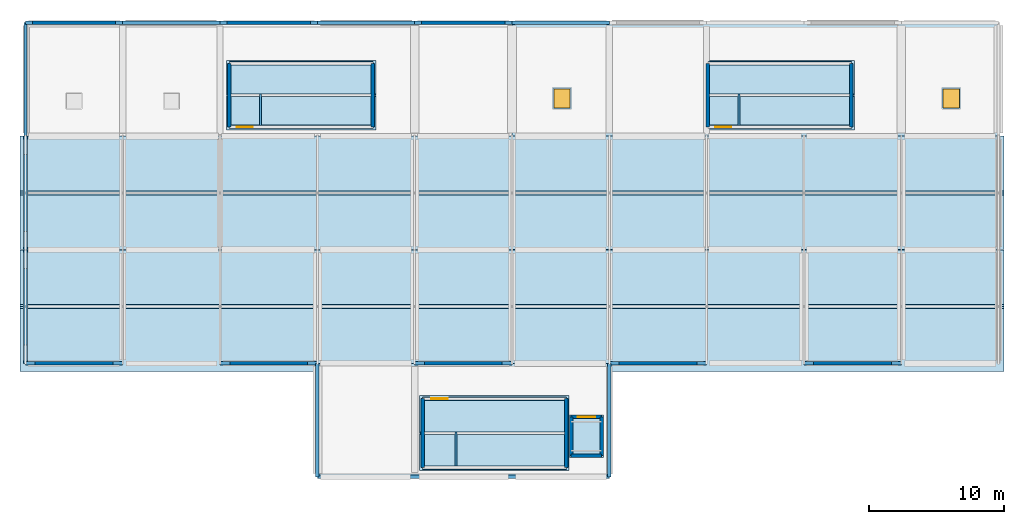
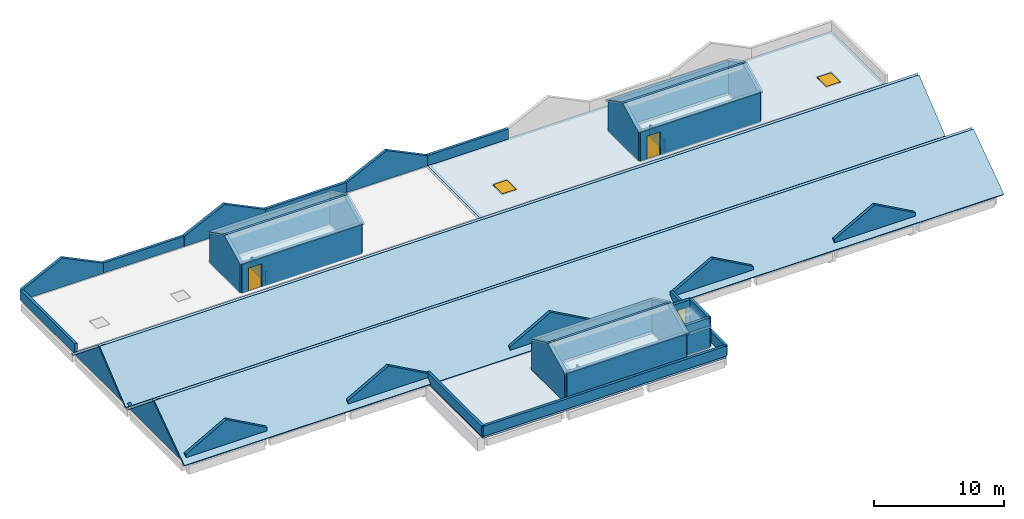
# One storey, part 3 of 5: 36 walls, 13 slabs, 6 doors, 6 openings.
"""IFC4 building model written with IfcOpenShell, lengths in metres."""

from ifc_helpers import new_model, si_unit, direction, frame, frame_2d, origin, origin_2d, place, context, subcontext, project, spatial, polyline, rectangle, outline, extrude, material, layer, layer_set, type_object, element, fill, save


model = new_model("IFC4")

# Units and contexts
model_context = context("Model", 3, precision=1e-05, world=origin(), true_north=direction((0.0, 1.0)))
body_context = subcontext(model_context, "Body", "Model", "MODEL_VIEW")
ifc_project = project(units=[si_unit("LENGTHUNIT", "METRE"), si_unit("AREAUNIT", "SQUARE_METRE"), si_unit("VOLUMEUNIT", "CUBIC_METRE"), si_unit("PLANEANGLEUNIT", "RADIAN"), si_unit("MASSUNIT", "GRAM", prefix="KILO")], contexts=[model_context])

# Site, building, storey
site_placement = place(None, origin())
site = spatial("IfcSite", under=ifc_project, at=site_placement, CompositionType="ELEMENT")
building_placement = place(site_placement, origin())
building = spatial("IfcBuilding", under=site, at=building_placement, Name="Kalluvel Institute of Natural Sciences", CompositionType="ELEMENT")
storey_placement = place(building_placement, frame((0.0, 0.0, 41.39990234375)))
storey = spatial("IfcBuildingStorey", under=building, at=storey_placement, Name="RF", CompositionType="ELEMENT", Elevation=41.39990234375)

# Slabs
ifc_material_1 = material(Name="Sadarahalli Granite Precast Concrete M45", Category="masonry")
ifc_layer_1 = layer(ifc_material_1, 0.179931640625)
ifc_layer_set_1 = layer_set([ifc_layer_1], Name="Sadarahalli Granite Precast Concrete M45")
slab_type_1 = type_object("IfcSlabType", Name="SLB-FOLD-180", PredefinedType="ROOF", material=ifc_layer_set_1)
for number, where, z_axis, x_axis, name in (
    (1, (28.864990234375, 120.06494140625, 2.85009765625), (0.0, -0.450519035107, 0.892766822304), (1.0, 0.0, 0.0), "ST1 Gothic headhouse south roof slope"),
    (2, (28.864990234375, 122.72802734375, 4.10009765625), (0.0, 0.450519035107, 0.892766822304), (1.0, 0.0, 0.0), "ST1 Gothic headhouse north roof slope"),
    (3, (64.264892578125, 120.06494140625, 2.85009765625), (0.0, -0.450519035107, 0.892766822304), (1.0, 0.0, 0.0), "ST2 Gothic headhouse south roof slope"),
    (4, (64.264892578125, 122.72802734375, 4.10009765625), (0.0, 0.450519035107, 0.892766822304), (1.0, 0.0, 0.0), "ST2 Gothic headhouse north roof slope"),
):
    element("IfcSlab", number, at=place(storey_placement, frame(where, z_axis=z_axis, x_axis=x_axis)), inside=storey, type_object=slab_type_1, Name=name, PredefinedType="ROOF", context=body_context, shape_type="SweptSolid", body=[
        extrude(outline(polyline([(0.0, 0.0), (11.070068359375, 0.0), (11.070068359375, 2.774577548545226), (0.0, 2.774577548545226), (0.0, 0.0)])), origin(), (0.0, 0.0, -1.0), 0.179931640625),
    ])
for number, where, z_axis, x_axis, name in (
    (5, (43.1650390625, 94.864990234375, 2.85009765625), (0.0, -0.42242470855, 0.906398017212), (1.0, 0.0, 0.0), "ST3 Gothic headhouse south roof slope"),
    (6, (43.1650390625, 97.722900390625, 4.10009765625), (0.0, 0.42242470855, 0.906398017212), (1.0, 0.0, 0.0), "ST3 Gothic headhouse north roof slope"),
):
    element("IfcSlab", number, at=place(storey_placement, frame(where, z_axis=z_axis, x_axis=x_axis)), inside=storey, type_object=slab_type_1, Name=name, PredefinedType="ROOF", context=body_context, shape_type="SweptSolid", body=[
        extrude(outline(polyline([(0.0, 0.0), (11.070068359375, 0.0), (11.070068359375, 2.9591072082203813), (0.0, 2.9591072082203813), (0.0, 0.0)])), origin(), (0.0, 0.0, -1.0), 0.179931640625),
    ])
ifc_layer_2 = layer(ifc_material_1, 0.199951171875)
ifc_layer_set_2 = layer_set([ifc_layer_2], Name="Sadarahalli Granite Precast Concrete M45")
slab_type_2 = type_object("IfcSlabType", Name="SLB-FOLD-200", PredefinedType="ROOF", material=ifc_layer_set_2)
slab_1_placement = place(storey_placement, frame((13.60009765625, 102.199951171875, 0.168701171875), z_axis=(0.0, -0.574675509545, 0.818381365092), x_axis=(1.0, 0.0, 0.0)))
element("IfcSlab", 7, at=slab_1_placement, inside=storey, type_object=slab_type_2, Name="Wet Wing Collegiate-Gothic Pitched Roof South Slope 1", PredefinedType="ROOF", context=body_context, shape_type="SweptSolid", body=[
    extrude(outline(polyline([(0.0, 0.0), (72.7998046875, 0.0), (72.7998046875, 5.7101687580597424), (0.0, 5.7101687580597424), (0.0, 0.0)])), origin(), (0.0, 0.0, -1.0), 0.199951171875),
])
for number, where, z_axis, x_axis, name in (
    (8, (13.60009765625, 107.138427734375, 3.4501953125), (0.0, 0.631781473069, 0.77514654762), (1.0, 0.0, 0.0), "Wet Wing Collegiate-Gothic Pitched Roof North Slope 1"),
    (9, (13.60009765625, 111.22509765625, 0.16015625), (0.0, -0.631781473069, 0.77514654762), (1.0, 0.0, 0.0), "Wet Wing Collegiate-Gothic Pitched Roof South Slope 2"),
):
    element("IfcSlab", number, at=place(storey_placement, frame(where, z_axis=z_axis, x_axis=x_axis)), inside=storey, type_object=slab_type_2, Name=name, PredefinedType="ROOF", context=body_context, shape_type="SweptSolid", body=[
        extrude(outline(polyline([(0.0, 0.0), (72.7998046875, 0.0), (72.7998046875, 5.207558630230036), (0.0, 5.207558630230036), (0.0, 0.0)])), origin(), (0.0, 0.0, -1.0), 0.199951171875),
    ])
slab_2_placement = place(storey_placement, frame((13.60009765625, 115.537841796875, 3.4501953125), z_axis=(0.0, 0.629348696265, 0.777123039492), x_axis=(1.0, 0.0, 0.0)))
element("IfcSlab", 10, at=slab_2_placement, inside=storey, type_object=slab_type_2, Name="Wet Wing Collegiate-Gothic Pitched Roof North Slope 2", PredefinedType="ROOF", context=body_context, shape_type="SweptSolid", body=[
    extrude(outline(polyline([(0.0, 0.0), (72.7998046875, 0.0), (72.7998046875, 5.227300765693615), (0.0, 5.227300765693615), (0.0, 0.0)])), origin(), (0.0, 0.0, -1.0), 0.199951171875),
])

# Slab, openings, doors
ifc_material_2 = material(Name="Concrete M40", Category="concrete")
ifc_layer_3 = layer(ifc_material_2, 0.280029296875)
ifc_layer_set_3 = layer_set([ifc_layer_3], Name="Concrete M40")
slab_type_3 = type_object("IfcSlabType", Name="SLB-ROOF-280", PredefinedType="ROOF", material=ifc_layer_set_3)
slab_3_placement = place(storey_placement, frame((0.0, 0.0, -0.27978515625)))
slab_3 = element("IfcSlab", 11, at=slab_3_placement, inside=storey, type_object=slab_type_3, Name="RF Wet Laboratory Structural Roof Deck East", PredefinedType="ROOF", context=body_context, shape_type="SweptSolid", body=[
    extrude(outline(polyline([(50.0, 102.800048828125), (86.0, 102.800048828125), (86.0, 128.0), (50.0, 128.0), (50.0, 102.800048828125)]), holes=[polyline([(66.867919921875, 120.39990234375), (66.867919921875, 124.8701171875), (75.0, 124.8701171875), (75.0, 120.39990234375), (66.867919921875, 120.39990234375)])]), origin(), (0.0, 0.0, 1.0), 0.27978515625),
])
opening_1_placement = place(slab_3_placement, frame((53.699951171875, 122.39990234375, 0.0)))
opening_1 = element("IfcOpeningElement", 12, at=opening_1_placement, cuts=slab_3, Name="Opening RH-03", PredefinedType="OPENING", context=body_context, shape_type="SweptSolid", body=[
    extrude(rectangle(XDim=1.239990234375, YDim=1.43994140625, at=origin_2d()), frame((0.0, 0.0, -0.050048828125)), (0.0, 0.0, 1.0), 0.429931640625),
])
opening_2_placement = place(slab_3_placement, frame((82.5, 122.39990234375, 0.0)))
opening_2 = element("IfcOpeningElement", 13, at=opening_2_placement, cuts=slab_3, Name="Opening RH-04", PredefinedType="OPENING", context=body_context, shape_type="SweptSolid", body=[
    extrude(rectangle(XDim=1.239990234375, YDim=1.43994140625, at=origin_2d()), frame((0.0, 0.0, -0.050048828125)), (0.0, 0.0, 1.0), 0.429931640625),
])
ifc_material_3 = material(Name="Steel E350 Grade 350", Category="steel")
door_type_1 = type_object("IfcDoorType", Name="DR-HATCH-1200", OperationType="NOTDEFINED", PredefinedType="TRAPDOOR", material=ifc_material_3)
door_1_placement = place(opening_1_placement, frame((0.0, 0.0, 0.27978515625)))
door_1 = element("IfcDoor", 14, at=door_1_placement, inside=storey, type_object=door_type_1, Name="RF maintenance roof access hatch RH-03", OperationType="SINGLE_SWING_LEFT", OverallHeight=1.39990234375, OverallWidth=1.199951171875, PredefinedType="TRAPDOOR", context=body_context, shape_type="SweptSolid", body=[
    extrude(rectangle(XDim=1.199951171875, YDim=1.39990234375, at=origin_2d()), origin(), (0.0, 0.0, 1.0), 0.050048828125),
])
fill(opening_1, door_1)
door_2_placement = place(opening_2_placement, frame((0.0, 0.0, 0.27978515625)))
door_2 = element("IfcDoor", 15, at=door_2_placement, inside=storey, type_object=door_type_1, Name="RF maintenance roof access hatch RH-04", OperationType="SINGLE_SWING_LEFT", OverallHeight=1.39990234375, OverallWidth=1.199951171875, PredefinedType="TRAPDOOR", context=body_context, shape_type="SweptSolid", body=[
    extrude(rectangle(XDim=1.199951171875, YDim=1.39990234375, at=origin_2d()), origin(), (0.0, 0.0, 1.0), 0.050048828125),
])
fill(opening_2, door_2)

# Slabs
slab_4_placement = place(storey_placement, frame((0.0, 0.0, -0.27978515625)))
element("IfcSlab", 16, at=slab_4_placement, inside=storey, type_object=slab_type_3, Name="RF Fire-Tower Knuckle Lobby Slab", PredefinedType="ROOF", context=body_context, shape_type="SweptSolid", body=[
    extrude(outline(polyline([(35.60009765625, 94.39990234375), (57.199951171875, 94.39990234375), (57.199951171875, 102.800048828125), (35.60009765625, 102.800048828125), (35.60009765625, 94.39990234375)]), holes=[polyline([(54.47998046875, 98.719970703125), (56.52001953125, 98.719970703125), (56.52001953125, 96.080078125), (54.47998046875, 96.080078125), (54.47998046875, 98.719970703125)]), polyline([(45.91796875, 100.070068359375), (53.89990234375, 100.070068359375), (53.89990234375, 95.199951171875), (45.91796875, 95.199951171875), (45.91796875, 100.070068359375)])]), origin(), (0.0, 0.0, 1.0), 0.27978515625),
])
slab_5_placement = place(storey_placement, frame((0.0, 0.0, 1.85009765625)))
element("IfcSlab", 17, at=slab_5_placement, inside=storey, type_object=slab_type_3, Name="LF8 shaft overrun cap slab", PredefinedType="ROOF", context=body_context, shape_type="SweptSolid", body=[
    extrude(outline(polyline([(54.239990234375, 95.840087890625), (56.760009765625, 95.840087890625), (56.760009765625, 98.9599609375), (54.239990234375, 98.9599609375), (54.239990234375, 95.840087890625)])), origin(), (0.0, 0.0, 1.0), 0.280029296875),
])

# Walls
ifc_material_4 = material(Name="Sadarahalli Grey Granite Ashlar Concrete M40", Category="masonry")
ifc_layer_4 = layer(ifc_material_4, 0.280029296875)
ifc_layer_set_4 = layer_set([ifc_layer_4], Name="Sadarahalli Grey Granite Ashlar Concrete M40")
wall_type_1 = type_object("IfcWallType", Name="WL-GABLE-280", PredefinedType="SOLIDWALL", material=ifc_layer_set_4)
wall_1_placement = place(storey_placement, frame((14.0, 102.800048828125, 0.0), z_axis=(0.0, 0.0, 1.0), x_axis=(0.0, 1.0, 0.0)))
element("IfcWall", 18, at=wall_1_placement, inside=storey, type_object=wall_type_1, Name="RF Wet Wing West Gothic gable wall", PredefinedType="SOLIDWALL", context=body_context, shape_type="SweptSolid", body=[
    extrude(outline(polyline([(0.0, 0.0), (8.39990234375, 0.0), (8.39990234375, 0.150146484375), (4.199951171875, 3.380126953125), (0.0, 0.150146484375), (0.0, 0.0)])), frame((0.0, 0.14013671875, 0.0), z_axis=(0.0, -1.0, 0.0), x_axis=(1.0, 0.0, 0.0)), (0.0, 0.0, 1.0), 0.280029296875),
])
wall_2_placement = place(storey_placement, frame((14.0, 111.199951171875, 0.0), z_axis=(0.0, 0.0, 1.0), x_axis=(0.0, 1.0, 0.0)))
element("IfcWall", 19, at=wall_2_placement, inside=storey, type_object=wall_type_1, Name="RF Wet Wing West Gothic gable wall", PredefinedType="SOLIDWALL", context=body_context, shape_type="SweptSolid", body=[
    extrude(outline(polyline([(0.0, 0.0), (8.400146484375, 0.0), (8.39990234375, 0.150146484375), (4.199951171875, 3.380126953125), (0.0, 0.150146484375), (0.0, 0.0)])), frame((0.0, 0.14013671875, 0.0), z_axis=(0.0, -1.0, 0.0), x_axis=(1.0, 0.0, 0.0)), (0.0, 0.0, 1.0), 0.280029296875),
])
wall_3_placement = place(storey_placement, frame((14.0, 102.800048828125, 0.0), z_axis=(0.0, 0.0, 1.0), x_axis=(1.0, 0.0, 0.0)))
element("IfcWall", 20, at=wall_3_placement, inside=storey, type_object=wall_type_1, Name="RF Wet Wing South Gothic cross-gable front", PredefinedType="SOLIDWALL", context=body_context, shape_type="SweptSolid", body=[
    extrude(outline(polyline([(0.0, 0.0), (7.199951171875, 0.0), (7.199951171875, 0.800048828125), (3.60009765625, 2.800048828125), (0.0, 0.800048828125), (0.0, 0.0)])), frame((0.0, 0.14013671875, 0.0), z_axis=(0.0, -1.0, 0.0), x_axis=(1.0, 0.0, 0.0)), (0.0, 0.0, 1.0), 0.280029296875),
])
wall_4_placement = place(storey_placement, frame((14.0, 128.0, 0.0), z_axis=(0.0, 0.0, 1.0), x_axis=(1.0, 0.0, 0.0)))
element("IfcWall", 21, at=wall_4_placement, inside=storey, type_object=wall_type_1, Name="RF Wet Wing North Gothic cross-gable parapet", PredefinedType="SOLIDWALL", context=body_context, shape_type="SweptSolid", body=[
    extrude(outline(polyline([(0.0, 0.0), (7.199951171875, 0.0), (7.199951171875, 0.9501953125), (3.60009765625, 2.7001953125), (0.0, 0.9501953125), (0.0, 0.0)])), frame((0.0, 0.14013671875, 0.0), z_axis=(0.0, -1.0, 0.0), x_axis=(1.0, 0.0, 0.0)), (0.0, 0.0, 1.0), 0.280029296875),
])
wall_5_placement = place(storey_placement, frame((28.39990234375, 102.800048828125, 0.0), z_axis=(0.0, 0.0, 1.0), x_axis=(1.0, 0.0, 0.0)))
element("IfcWall", 22, at=wall_5_placement, inside=storey, type_object=wall_type_1, Name="RF Wet Wing South Gothic cross-gable front", PredefinedType="SOLIDWALL", context=body_context, shape_type="SweptSolid", body=[
    extrude(outline(polyline([(0.0, 0.0), (7.2001953125, 0.0), (7.199951171875, 0.800048828125), (3.60009765625, 2.800048828125), (0.0, 0.800048828125), (0.0, 0.0)])), frame((0.0, 0.14013671875, 0.0), z_axis=(0.0, -1.0, 0.0), x_axis=(1.0, 0.0, 0.0)), (0.0, 0.0, 1.0), 0.280029296875),
])
wall_6_placement = place(storey_placement, frame((28.39990234375, 128.0, 0.0), z_axis=(0.0, 0.0, 1.0), x_axis=(1.0, 0.0, 0.0)))
element("IfcWall", 23, at=wall_6_placement, inside=storey, type_object=wall_type_1, Name="RF Wet Wing North Gothic cross-gable parapet", PredefinedType="SOLIDWALL", context=body_context, shape_type="SweptSolid", body=[
    extrude(outline(polyline([(0.0, 0.0), (7.2001953125, 0.0), (7.199951171875, 0.9501953125), (3.60009765625, 2.7001953125), (0.0, 0.9501953125), (0.0, 0.0)])), frame((0.0, 0.14013671875, 0.0), z_axis=(0.0, -1.0, 0.0), x_axis=(1.0, 0.0, 0.0)), (0.0, 0.0, 1.0), 0.280029296875),
])
wall_7_placement = place(storey_placement, frame((42.800048828125, 102.800048828125, 0.0), z_axis=(0.0, 0.0, 1.0), x_axis=(1.0, 0.0, 0.0)))
element("IfcWall", 24, at=wall_7_placement, inside=storey, type_object=wall_type_1, Name="RF Wet Wing South Gothic cross-gable front", PredefinedType="SOLIDWALL", context=body_context, shape_type="SweptSolid", body=[
    extrude(outline(polyline([(0.0, 0.0), (7.199951171875, 0.0), (7.199951171875, 0.800048828125), (3.60009765625, 2.800048828125), (0.0, 0.800048828125), (0.0, 0.0)])), frame((0.0, 0.14013671875, 0.0), z_axis=(0.0, -1.0, 0.0), x_axis=(1.0, 0.0, 0.0)), (0.0, 0.0, 1.0), 0.280029296875),
])
wall_8_placement = place(storey_placement, frame((42.800048828125, 128.0, 0.0), z_axis=(0.0, 0.0, 1.0), x_axis=(1.0, 0.0, 0.0)))
element("IfcWall", 25, at=wall_8_placement, inside=storey, type_object=wall_type_1, Name="RF Wet Wing North Gothic cross-gable parapet", PredefinedType="SOLIDWALL", context=body_context, shape_type="SweptSolid", body=[
    extrude(outline(polyline([(0.0, 0.0), (7.199951171875, 0.0), (7.199951171875, 0.9501953125), (3.60009765625, 2.7001953125), (0.0, 0.9501953125), (0.0, 0.0)])), frame((0.0, 0.14013671875, 0.0), z_axis=(0.0, -1.0, 0.0), x_axis=(1.0, 0.0, 0.0)), (0.0, 0.0, 1.0), 0.280029296875),
])
for number, where, z_axis, x_axis, name in (
    (26, (57.199951171875, 102.800048828125, 0.0), (0.0, 0.0, 1.0), (1.0, 0.0, 0.0), "RF Wet Wing South Gothic cross-gable front"),
    (27, (71.60009765625, 102.800048828125, 0.0), (0.0, 0.0, 1.0), (1.0, 0.0, 0.0), "RF Wet Wing South Gothic cross-gable front"),
):
    element("IfcWall", number, at=place(storey_placement, frame(where, z_axis=z_axis, x_axis=x_axis)), inside=storey, type_object=wall_type_1, Name=name, PredefinedType="SOLIDWALL", context=body_context, shape_type="SweptSolid", body=[
        extrude(outline(polyline([(0.0, 0.0), (7.199951171875, 0.0), (7.199951171875, 0.800048828125), (3.60009765625, 2.800048828125), (0.0, 0.800048828125), (0.0, 0.0)])), frame((0.0, 0.14013671875, 0.0), z_axis=(0.0, -1.0, 0.0), x_axis=(1.0, 0.0, 0.0)), (0.0, 0.0, 1.0), 0.280029296875),
    ])

# Wall, opening, door
ifc_layer_5 = layer(ifc_material_4, 0.260009765625)
ifc_layer_set_5 = layer_set([ifc_layer_5], Name="Sadarahalli Grey Granite Ashlar Concrete M40")
wall_type_2 = type_object("IfcWallType", Name="WL-HH-260", PredefinedType="SHEAR", material=ifc_layer_set_5)
wall_9_placement = place(storey_placement, frame((29.0849609375, 120.284912109375, 0.0), z_axis=(0.0, 0.0, 1.0), x_axis=(1.0, 0.0, 0.0)))
wall_9 = element("IfcWall", 28, at=wall_9_placement, inside=storey, type_object=wall_type_2, Name="ST1 RF core wall S", PredefinedType="SHEAR", context=body_context, shape_type="SweptSolid", body=[
    extrude(rectangle(XDim=10.630126953125, YDim=0.260009765625, at=frame_2d((5.31494140625, 0.0))), origin(), (0.0, 0.0, 1.0), 2.85009765625),
])
opening_3_placement = place(wall_9_placement, frame((0.550048828125, 0.0, 0.0)))
opening_3 = element("IfcOpeningElement", 29, at=opening_3_placement, cuts=wall_9, Name="Opening DS-011", PredefinedType="OPENING", context=body_context, shape_type="SweptSolid", body=[
    extrude(rectangle(XDim=1.199951171875, YDim=2.199951171875, at=frame_2d((0.60009765625, 1.10009765625))), frame((0.0, 0.139892578125, 0.0), z_axis=(0.0, -1.0, 0.0), x_axis=(1.0, 0.0, 0.0)), (0.0, 0.0, 1.0), 0.280029296875),
])
ifc_material_5 = material(Name="Galvanized Fire-Rated Steel", Category="steel")
door_type_2 = type_object("IfcDoorType", Name="DR-ST-RF-1200", OperationType="NOTDEFINED", PredefinedType="DOOR", material=ifc_material_5)
door_3_placement = place(opening_3_placement, origin())
door_3 = element("IfcDoor", 30, at=door_3_placement, inside=storey, type_object=door_type_2, Name="ST1 RF protected stair door DS-011", OperationType="SINGLE_SWING_LEFT", OverallHeight=2.199951171875, OverallWidth=1.199951171875, PredefinedType="DOOR", context=body_context, shape_type="SweptSolid", body=[
    extrude(rectangle(XDim=1.199951171875, YDim=2.199951171875, at=frame_2d((0.60009765625, 1.10009765625))), frame((0.0, 0.02490234375, 0.0), z_axis=(0.0, -1.0, 0.0), x_axis=(1.0, 0.0, 0.0)), (0.0, 0.0, 1.0), 0.050048828125),
])
fill(opening_3, door_3)

# Walls
wall_10_placement = place(storey_placement, frame((39.715087890625, 120.284912109375, 0.0), z_axis=(0.0, 0.0, 1.0), x_axis=(0.0, 1.0, 0.0)))
element("IfcWall", 31, at=wall_10_placement, inside=storey, type_object=wall_type_2, Name="ST1 RF core wall E", PredefinedType="SHEAR", context=body_context, shape_type="SweptSolid", body=[
    extrude(outline(polyline([(0.0, 0.0), (4.7001953125, 0.0), (4.699951171875, 2.85009765625), (2.35009765625, 4.0400390625), (0.0, 2.85009765625), (0.0, 0.0)])), frame((0.0, 0.1298828125, 0.0), z_axis=(0.0, -1.0, 0.0), x_axis=(1.0, 0.0, 0.0)), (0.0, 0.0, 1.0), 0.260009765625),
])
wall_11_placement = place(storey_placement, frame((39.715087890625, 124.985107421875, 0.0), z_axis=(0.0, 0.0, 1.0), x_axis=(-1.0, 0.0, 0.0)))
element("IfcWall", 32, at=wall_11_placement, inside=storey, type_object=wall_type_2, Name="ST1 RF core wall N", PredefinedType="SHEAR", context=body_context, shape_type="SweptSolid", body=[
    extrude(rectangle(XDim=10.630126953125, YDim=0.260009765625, at=frame_2d((5.31494140625, 0.0))), origin(), (0.0, 0.0, 1.0), 2.85009765625),
])
wall_12_placement = place(storey_placement, frame((29.0849609375, 124.985107421875, 0.0), z_axis=(0.0, 0.0, 1.0), x_axis=(0.0, -1.0, 0.0)))
element("IfcWall", 33, at=wall_12_placement, inside=storey, type_object=wall_type_2, Name="ST1 RF core wall W", PredefinedType="SHEAR", context=body_context, shape_type="SweptSolid", body=[
    extrude(outline(polyline([(0.0, 0.0), (4.7001953125, 0.0), (4.699951171875, 2.85009765625), (2.35009765625, 4.0400390625), (0.0, 2.85009765625), (0.0, 0.0)])), frame((0.0, 0.1298828125, 0.0), z_axis=(0.0, -1.0, 0.0), x_axis=(1.0, 0.0, 0.0)), (0.0, 0.0, 1.0), 0.260009765625),
])

# Wall, opening, door
wall_13_placement = place(storey_placement, frame((64.485107421875, 120.284912109375, 0.0), z_axis=(0.0, 0.0, 1.0), x_axis=(1.0, 0.0, 0.0)))
wall_13 = element("IfcWall", 34, at=wall_13_placement, inside=storey, type_object=wall_type_2, Name="ST2 RF core wall S", PredefinedType="SHEAR", context=body_context, shape_type="SweptSolid", body=[
    extrude(rectangle(XDim=10.6298828125, YDim=0.260009765625, at=frame_2d((5.31494140625, 0.0))), origin(), (0.0, 0.0, 1.0), 2.85009765625),
])
opening_4_placement = place(wall_13_placement, frame((0.550048828125, 0.0, 0.0)))
opening_4 = element("IfcOpeningElement", 35, at=opening_4_placement, cuts=wall_13, Name="Opening DS-022", PredefinedType="OPENING", context=body_context, shape_type="SweptSolid", body=[
    extrude(rectangle(XDim=1.199951171875, YDim=2.199951171875, at=frame_2d((0.60009765625, 1.10009765625))), frame((0.0, 0.139892578125, 0.0), z_axis=(0.0, -1.0, 0.0), x_axis=(1.0, 0.0, 0.0)), (0.0, 0.0, 1.0), 0.280029296875),
])
door_4_placement = place(opening_4_placement, origin())
door_4 = element("IfcDoor", 36, at=door_4_placement, inside=storey, type_object=door_type_2, Name="ST2 RF protected stair door DS-022", OperationType="SINGLE_SWING_LEFT", OverallHeight=2.199951171875, OverallWidth=1.199951171875, PredefinedType="DOOR", context=body_context, shape_type="SweptSolid", body=[
    extrude(rectangle(XDim=1.199951171875, YDim=2.199951171875, at=frame_2d((0.60009765625, 1.10009765625))), frame((0.0, 0.02490234375, 0.0), z_axis=(0.0, -1.0, 0.0), x_axis=(1.0, 0.0, 0.0)), (0.0, 0.0, 1.0), 0.050048828125),
])
fill(opening_4, door_4)

# Walls
wall_14_placement = place(storey_placement, frame((75.114990234375, 120.284912109375, 0.0), z_axis=(0.0, 0.0, 1.0), x_axis=(0.0, 1.0, 0.0)))
element("IfcWall", 37, at=wall_14_placement, inside=storey, type_object=wall_type_2, Name="ST2 RF core wall E", PredefinedType="SHEAR", context=body_context, shape_type="SweptSolid", body=[
    extrude(outline(polyline([(0.0, 0.0), (4.7001953125, 0.0), (4.699951171875, 2.85009765625), (2.35009765625, 4.0400390625), (0.0, 2.85009765625), (0.0, 0.0)])), frame((0.0, 0.1298828125, 0.0), z_axis=(0.0, -1.0, 0.0), x_axis=(1.0, 0.0, 0.0)), (0.0, 0.0, 1.0), 0.260009765625),
])
wall_15_placement = place(storey_placement, frame((75.114990234375, 124.985107421875, 0.0), z_axis=(0.0, 0.0, 1.0), x_axis=(-1.0, 0.0, 0.0)))
element("IfcWall", 38, at=wall_15_placement, inside=storey, type_object=wall_type_2, Name="ST2 RF core wall N", PredefinedType="SHEAR", context=body_context, shape_type="SweptSolid", body=[
    extrude(rectangle(XDim=10.6298828125, YDim=0.260009765625, at=frame_2d((5.31494140625, 0.0))), origin(), (0.0, 0.0, 1.0), 2.85009765625),
])
wall_16_placement = place(storey_placement, frame((64.485107421875, 124.985107421875, 0.0), z_axis=(0.0, 0.0, 1.0), x_axis=(0.0, -1.0, 0.0)))
element("IfcWall", 39, at=wall_16_placement, inside=storey, type_object=wall_type_2, Name="ST2 RF core wall W", PredefinedType="SHEAR", context=body_context, shape_type="SweptSolid", body=[
    extrude(outline(polyline([(0.0, 0.0), (4.7001953125, 0.0), (4.699951171875, 2.85009765625), (2.35009765625, 4.0400390625), (0.0, 2.85009765625), (0.0, 0.0)])), frame((0.0, 0.1298828125, 0.0), z_axis=(0.0, -1.0, 0.0), x_axis=(1.0, 0.0, 0.0)), (0.0, 0.0, 1.0), 0.260009765625),
])
wall_17_placement = place(storey_placement, frame((43.385009765625, 95.0849609375, 0.0), z_axis=(0.0, 0.0, 1.0), x_axis=(1.0, 0.0, 0.0)))
element("IfcWall", 40, at=wall_17_placement, inside=storey, type_object=wall_type_2, Name="ST3 RF core wall S", PredefinedType="SHEAR", context=body_context, shape_type="SweptSolid", body=[
    extrude(rectangle(XDim=10.6298828125, YDim=0.260009765625, at=frame_2d((5.31494140625, 0.0))), origin(), (0.0, 0.0, 1.0), 2.85009765625),
])
wall_18_placement = place(storey_placement, frame((54.014892578125, 95.0849609375, 0.0), z_axis=(0.0, 0.0, 1.0), x_axis=(0.0, 1.0, 0.0)))
element("IfcWall", 41, at=wall_18_placement, inside=storey, type_object=wall_type_2, Name="ST3 RF core wall E", PredefinedType="SHEAR", context=body_context, shape_type="SweptSolid", body=[
    extrude(outline(polyline([(0.0, 0.0), (5.10009765625, 0.0), (5.10009765625, 2.85009765625), (2.550048828125, 4.0400390625), (0.0, 2.85009765625), (0.0, 0.0)])), frame((0.0, 0.1298828125, 0.0), z_axis=(0.0, -1.0, 0.0), x_axis=(1.0, 0.0, 0.0)), (0.0, 0.0, 1.0), 0.260009765625),
])

# Wall, opening, door
wall_19_placement = place(storey_placement, frame((54.014892578125, 100.18505859375, 0.0), z_axis=(0.0, 0.0, 1.0), x_axis=(-1.0, 0.0, 0.0)))
wall_19 = element("IfcWall", 42, at=wall_19_placement, inside=storey, type_object=wall_type_2, Name="ST3 RF core wall N", PredefinedType="SHEAR", context=body_context, shape_type="SweptSolid", body=[
    extrude(rectangle(XDim=10.6298828125, YDim=0.260009765625, at=frame_2d((5.31494140625, 0.0))), origin(), (0.0, 0.0, 1.0), 2.85009765625),
])
opening_5_placement = place(wall_19_placement, frame((8.780029296875, 0.0, 0.0)))
opening_5 = element("IfcOpeningElement", 43, at=opening_5_placement, cuts=wall_19, Name="Opening DS-033", PredefinedType="OPENING", context=body_context, shape_type="SweptSolid", body=[
    extrude(rectangle(XDim=1.199951171875, YDim=2.199951171875, at=frame_2d((0.60009765625, 1.10009765625))), frame((0.0, 0.139892578125, 0.0), z_axis=(0.0, -1.0, 0.0), x_axis=(1.0, 0.0, 0.0)), (0.0, 0.0, 1.0), 0.280029296875),
])
door_5_placement = place(opening_5_placement, origin())
door_5 = element("IfcDoor", 44, at=door_5_placement, inside=storey, type_object=door_type_2, Name="ST3 RF protected stair door DS-033", OperationType="SINGLE_SWING_LEFT", OverallHeight=2.199951171875, OverallWidth=1.199951171875, PredefinedType="DOOR", context=body_context, shape_type="SweptSolid", body=[
    extrude(rectangle(XDim=1.199951171875, YDim=2.199951171875, at=frame_2d((0.60009765625, 1.10009765625))), frame((0.0, 0.02490234375, 0.0), z_axis=(0.0, -1.0, 0.0), x_axis=(1.0, 0.0, 0.0)), (0.0, 0.0, 1.0), 0.050048828125),
])
fill(opening_5, door_5)

# Walls
wall_20_placement = place(storey_placement, frame((43.385009765625, 100.18505859375, 0.0), z_axis=(0.0, 0.0, 1.0), x_axis=(0.0, -1.0, 0.0)))
element("IfcWall", 45, at=wall_20_placement, inside=storey, type_object=wall_type_2, Name="ST3 RF core wall W", PredefinedType="SHEAR", context=body_context, shape_type="SweptSolid", body=[
    extrude(outline(polyline([(0.0, 0.0), (5.10009765625, 0.0), (5.10009765625, 2.85009765625), (2.550048828125, 4.0400390625), (0.0, 2.85009765625), (0.0, 0.0)])), frame((0.0, 0.1298828125, 0.0), z_axis=(0.0, -1.0, 0.0), x_axis=(1.0, 0.0, 0.0)), (0.0, 0.0, 1.0), 0.260009765625),
])
wall_21_placement = place(storey_placement, frame((54.3701171875, 95.969970703125, 0.0), z_axis=(0.0, 0.0, 1.0), x_axis=(1.0, 0.0, 0.0)))
element("IfcWall", 46, at=wall_21_placement, inside=storey, type_object=wall_type_2, Name="LF8 RF lift shaft wall", PredefinedType="SHEAR", context=body_context, shape_type="SweptSolid", body=[
    extrude(rectangle(XDim=2.259765625, YDim=0.260009765625, at=frame_2d((1.1298828125, 0.0))), origin(), (0.0, 0.0, 1.0), 2.85009765625),
])
wall_22_placement = place(storey_placement, frame((56.6298828125, 95.969970703125, 0.0), z_axis=(0.0, 0.0, 1.0), x_axis=(0.0, 1.0, 0.0)))
element("IfcWall", 47, at=wall_22_placement, inside=storey, type_object=wall_type_2, Name="LF8 RF lift shaft wall", PredefinedType="SHEAR", context=body_context, shape_type="SweptSolid", body=[
    extrude(rectangle(XDim=2.860107421875, YDim=0.260009765625, at=frame_2d((1.43017578125, 0.0))), origin(), (0.0, 0.0, 1.0), 2.85009765625),
])

# Wall, opening, door
wall_23_placement = place(storey_placement, frame((56.6298828125, 98.830078125, 0.0), z_axis=(0.0, 0.0, 1.0), x_axis=(-1.0, 0.0, 0.0)))
wall_23 = element("IfcWall", 48, at=wall_23_placement, inside=storey, type_object=wall_type_2, Name="LF8 RF lift shaft wall", PredefinedType="SHEAR", context=body_context, shape_type="SweptSolid", body=[
    extrude(rectangle(XDim=2.259765625, YDim=0.260009765625, at=frame_2d((1.1298828125, 0.0))), origin(), (0.0, 0.0, 1.0), 2.85009765625),
])
opening_6_placement = place(wall_23_placement, frame((0.47998046875, 0.0, 0.0)))
opening_6 = element("IfcOpeningElement", 49, at=opening_6_placement, cuts=wall_23, Name="Opening LD-069", PredefinedType="OPENING", context=body_context, shape_type="SweptSolid", body=[
    extrude(rectangle(XDim=1.300048828125, YDim=2.199951171875, at=frame_2d((0.64990234375, 1.10009765625))), frame((0.0, 0.139892578125, 0.0), z_axis=(0.0, -1.0, 0.0), x_axis=(1.0, 0.0, 0.0)), (0.0, 0.0, 1.0), 0.280029296875),
])
door_type_3 = type_object("IfcDoorType", Name="DR-LD-RF-1300", OperationType="NOTDEFINED", PredefinedType="DOOR", material=ifc_material_5)
door_6_placement = place(opening_6_placement, origin())
door_6 = element("IfcDoor", 50, at=door_6_placement, inside=storey, type_object=door_type_3, Name="LF8 RF sliding lift landing door LD-069", OperationType="DOUBLE_DOOR_SLIDING", OverallHeight=2.199951171875, OverallWidth=1.300048828125, PredefinedType="DOOR", context=body_context, shape_type="SweptSolid", body=[
    extrude(rectangle(XDim=1.300048828125, YDim=2.199951171875, at=frame_2d((0.64990234375, 1.10009765625))), frame((0.0, 0.02490234375, 0.0), z_axis=(0.0, -1.0, 0.0), x_axis=(1.0, 0.0, 0.0)), (0.0, 0.0, 1.0), 0.050048828125),
])
fill(opening_6, door_6)

# Walls
wall_24_placement = place(storey_placement, frame((54.3701171875, 98.830078125, 0.0), z_axis=(0.0, 0.0, 1.0), x_axis=(0.0, -1.0, 0.0)))
element("IfcWall", 51, at=wall_24_placement, inside=storey, type_object=wall_type_2, Name="LF8 RF lift shaft wall", PredefinedType="SHEAR", context=body_context, shape_type="SweptSolid", body=[
    extrude(rectangle(XDim=2.860107421875, YDim=0.260009765625, at=frame_2d((1.43017578125, 0.0))), origin(), (0.0, 0.0, 1.0), 2.85009765625),
])
ifc_layer_6 = layer(ifc_material_4, 0.239990234375)
ifc_layer_set_6 = layer_set([ifc_layer_6], Name="Sadarahalli Grey Granite Ashlar Concrete M40")
wall_type_3 = type_object("IfcWallType", Name="WL-PAR-240", PredefinedType="PARAPET", material=ifc_layer_set_6)
wall_25_placement = place(storey_placement, frame((14.0, 119.60009765625, 0.0), z_axis=(0.0, 0.0, 1.0), x_axis=(0.0, 1.0, 0.0)))
element("IfcWall", 52, at=wall_25_placement, inside=storey, type_object=wall_type_3, Name="RF maintenance roof stone parapet 1", PredefinedType="PARAPET", context=body_context, shape_type="SweptSolid", body=[
    extrude(rectangle(XDim=8.39990234375, YDim=0.239990234375, at=frame_2d((4.199951171875, 0.0))), origin(), (0.0, 0.0, 1.0), 0.9501953125),
])
for number, where, z_axis, x_axis, name in (
    (53, (21.199951171875, 128.0, 0.0), (0.0, 0.0, 1.0), (1.0, 0.0, 0.0), "RF maintenance roof stone parapet 2"),
    (54, (35.60009765625, 128.0, 0.0), (0.0, 0.0, 1.0), (1.0, 0.0, 0.0), "RF maintenance roof stone parapet 3"),
    (55, (50.0, 128.0, 0.0), (0.0, 0.0, 1.0), (1.0, 0.0, 0.0), "RF maintenance roof stone parapet 4"),
):
    element("IfcWall", number, at=place(storey_placement, frame(where, z_axis=z_axis, x_axis=x_axis)), inside=storey, type_object=wall_type_3, Name=name, PredefinedType="PARAPET", context=body_context, shape_type="SweptSolid", body=[
        extrude(rectangle(XDim=7.199951171875, YDim=0.239990234375, at=frame_2d((3.60009765625, 0.0))), origin(), (0.0, 0.0, 1.0), 0.9501953125),
    ])
wall_26_placement = place(storey_placement, frame((57.199951171875, 102.800048828125, 0.0), z_axis=(0.0, 0.0, 1.0), x_axis=(0.0, -1.0, 0.0)))
element("IfcWall", 56, at=wall_26_placement, inside=storey, type_object=wall_type_3, Name="RF maintenance roof stone parapet 8", PredefinedType="PARAPET", context=body_context, shape_type="SweptSolid", body=[
    extrude(rectangle(XDim=8.400146484375, YDim=0.239990234375, at=frame_2d((4.2001953125, 0.0))), origin(), (0.0, 0.0, 1.0), 0.9501953125),
])
wall_27_placement = place(storey_placement, frame((57.199951171875, 94.39990234375, 0.0), z_axis=(0.0, 0.0, 1.0), x_axis=(-1.0, 0.0, 0.0)))
element("IfcWall", 57, at=wall_27_placement, inside=storey, type_object=wall_type_3, Name="RF maintenance roof stone parapet 9", PredefinedType="PARAPET", context=body_context, shape_type="SweptSolid", body=[
    extrude(rectangle(XDim=21.599853515625, YDim=0.239990234375, at=frame_2d((10.7998046875, 0.0))), origin(), (0.0, 0.0, 1.0), 0.9501953125),
])
wall_28_placement = place(storey_placement, frame((35.60009765625, 94.39990234375, 0.0), z_axis=(0.0, 0.0, 1.0), x_axis=(0.0, 1.0, 0.0)))
element("IfcWall", 58, at=wall_28_placement, inside=storey, type_object=wall_type_3, Name="RF maintenance roof stone parapet 10", PredefinedType="PARAPET", context=body_context, shape_type="SweptSolid", body=[
    extrude(rectangle(XDim=8.400146484375, YDim=0.239990234375, at=frame_2d((4.2001953125, 0.0))), origin(), (0.0, 0.0, 1.0), 0.9501953125),
])
ifc_material_6 = material(Name="Autoclaved Aerated Concrete Masonry Block", Category="masonry")
ifc_layer_7 = layer(ifc_material_6, 0.159912109375)
ifc_layer_set_7 = layer_set([ifc_layer_7], Name="Autoclaved Aerated Concrete Masonry Block")
wall_type_4 = type_object("IfcWallType", Name="WL-PART-160", PredefinedType="PARTITIONING", material=ifc_layer_set_7)
for number, where, z_axis, x_axis, name in (
    (59, (31.39990234375, 120.39990234375, 0.0), (0.0, 0.0, 1.0), (0.0, 1.0, 0.0), "RF ST1 headhouse well parapet 1.1"),
    (60, (66.800048828125, 120.39990234375, 0.0), (0.0, 0.0, 1.0), (0.0, 1.0, 0.0), "RF ST2 headhouse well parapet 1.1"),
):
    element("IfcWall", number, at=place(storey_placement, frame(where, z_axis=z_axis, x_axis=x_axis)), inside=storey, type_object=wall_type_4, Name=name, PredefinedType="PARTITIONING", context=body_context, shape_type="SweptSolid", body=[
        extrude(rectangle(XDim=2.31005859375, YDim=0.159912109375, at=frame_2d((1.155029296875, 0.0))), origin(), (0.0, 0.0, 1.0), 1.1201171875),
    ])
wall_29_placement = place(storey_placement, frame((45.85009765625, 95.199951171875, 0.0), z_axis=(0.0, 0.0, 1.0), x_axis=(0.0, 1.0, 0.0)))
element("IfcWall", 61, at=wall_29_placement, inside=storey, type_object=wall_type_4, Name="RF ST3 headhouse well parapet 1.1", PredefinedType="PARTITIONING", context=body_context, shape_type="SweptSolid", body=[
    extrude(rectangle(XDim=2.510009765625, YDim=0.159912109375, at=frame_2d((1.2548828125, 0.0))), origin(), (0.0, 0.0, 1.0), 1.1201171875),
])

save(model, "model.ifc")
